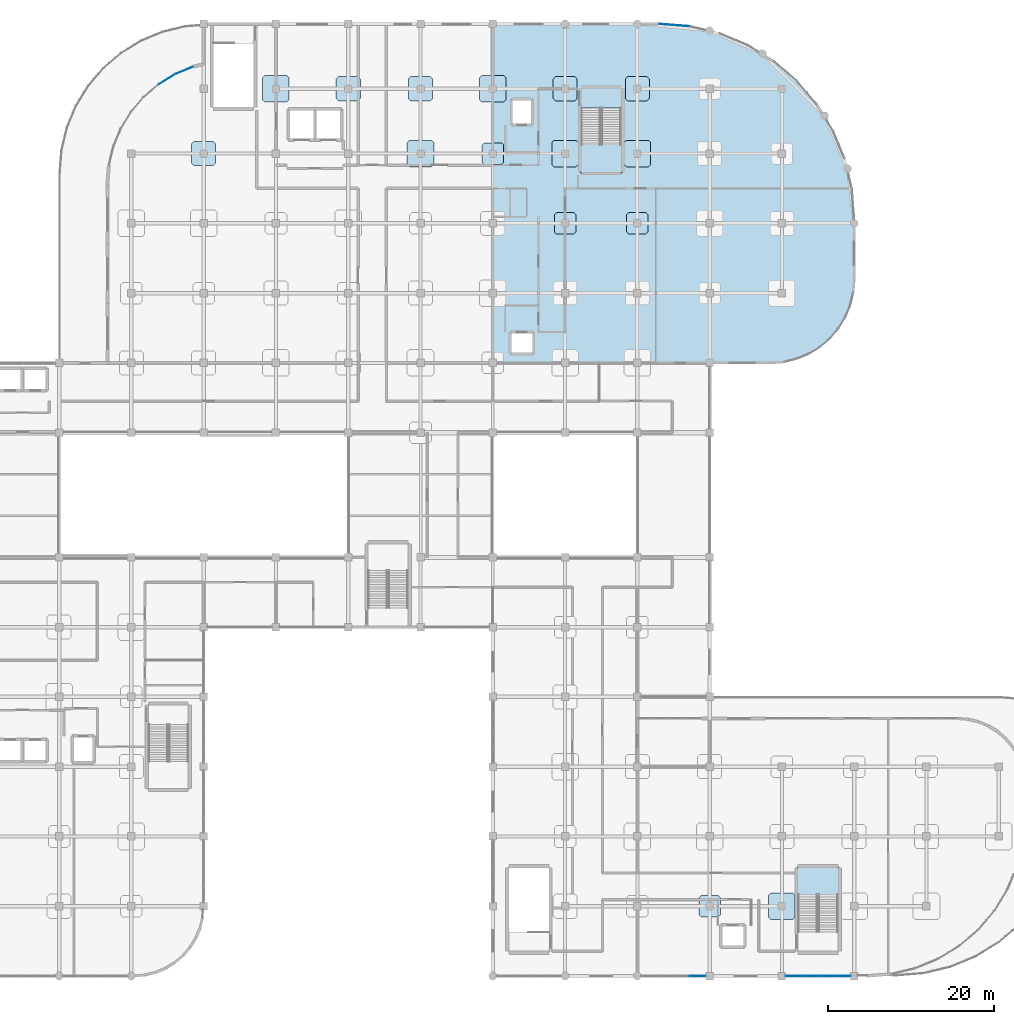
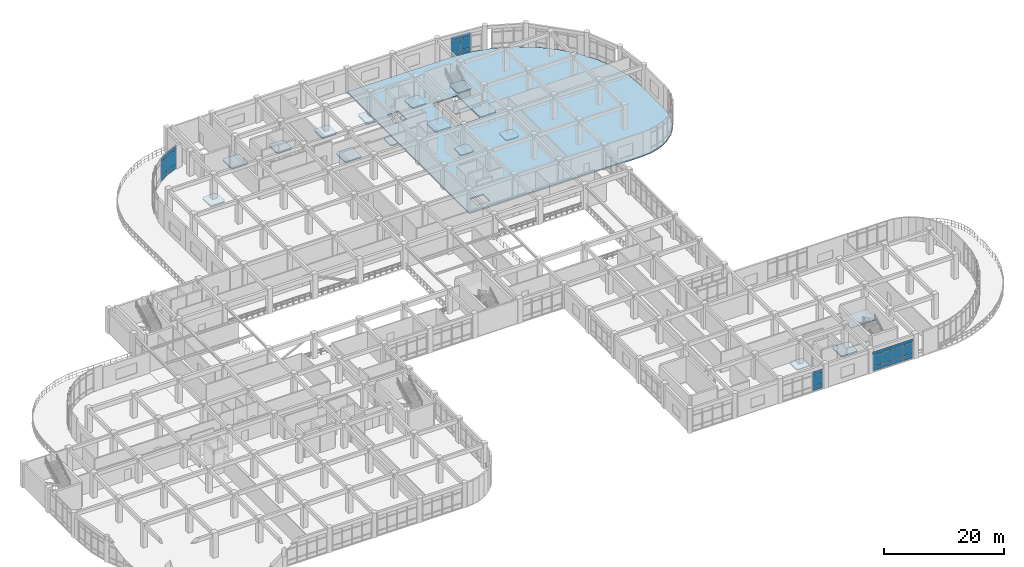
# One storey, part 93 of 120: 28 plates, 18 slabs, 7 elements without a shape of their own.
"""IFC4 building model written with IfcOpenShell, lengths in metres."""

from ifc_helpers import new_model, si_unit, derived_unit, direction, frame, origin, origin_2d, place, context, subcontext, project, spatial, polyline, rectangle, outline, extrude, material, layer, layer_set, type_object, element, aggregate, save


model = new_model("IFC4")

# Units and contexts
model_context = context("Model", 3, precision=1e-05, world=origin(), true_north=direction((0.0, 1.0)))
body_context = subcontext(model_context, "Body", "Model", "MODEL_VIEW")
ifc_project = project(units=[si_unit("LENGTHUNIT", "METRE"), si_unit("AREAUNIT", "SQUARE_METRE"), si_unit("VOLUMEUNIT", "CUBIC_METRE"), si_unit("PLANEANGLEUNIT", "RADIAN"), si_unit("MASSUNIT", "GRAM", prefix="KILO"), derived_unit("THERMALTRANSMITTANCEUNIT", [(si_unit("MASSUNIT", "GRAM", prefix="KILO"), 1), (si_unit("TIMEUNIT", "SECOND"), -3), (si_unit("THERMODYNAMICTEMPERATUREUNIT", "KELVIN"), -1)])], contexts=[model_context])

# Site, building, storey
site_placement = place(None, origin())
site = spatial("IfcSite", under=ifc_project, at=site_placement, CompositionType="ELEMENT")
building_placement = place(site_placement, origin())
building = spatial("IfcBuilding", under=site, at=building_placement, Name="Qinzheling Arcade Emporium", CompositionType="ELEMENT")
storey_placement = place(building_placement, frame((0.0, 0.0, 11.39990234375)))
storey = spatial("IfcBuildingStorey", under=building, at=storey_placement, Name="L03", CompositionType="ELEMENT", Elevation=11.39990234375)

# Slabs
ifc_material_1 = material(Name="Concrete C40", Category="concrete")
ifc_layer_1 = layer(ifc_material_1, 0.264892578125, Name="Concrete C40", Category="concrete")
ifc_layer_set_1 = layer_set([ifc_layer_1], Name="Concrete C40")
slab_type_1 = type_object("IfcSlabType", Name="Buying Office Flat Slab 265 C40", PredefinedType="FLOOR", material=ifc_layer_set_1)
slab_1_placement = place(storey_placement, frame((0.0, 0.0, -0.264892578125)))
element("IfcSlab", 1, at=slab_1_placement, inside=storey, type_object=slab_type_1, Name="Floor Slab SLB-L03-V6", PredefinedType="FLOOR", context=body_context, shape_type="SweptSolid", body=[
    extrude(outline(polyline([(104.39990234375, 114.60009765625), (104.39990234375, 73.800048828125), (137.89990234375, 73.800048828125), (139.464111328125, 73.923095703125), (140.989990234375, 74.2890625), (142.43994140625, 74.889892578125), (143.778076171875, 75.7099609375), (144.970947265625, 76.72900390625), (145.989990234375, 77.922119140625), (146.81005859375, 79.260009765625), (147.410888671875, 80.7099609375), (147.777099609375, 82.236083984375), (147.89990234375, 83.800048828125), (147.89990234375, 91.10009765625), (147.611083984375, 94.77587890625), (146.75, 98.362060546875), (145.339111328125, 101.76904296875), (143.412109375, 104.9130859375), (141.01708984375, 107.717041015625), (138.212890625, 110.112060546875), (135.069091796875, 112.0390625), (131.662109375, 113.449951171875), (128.075927734375, 114.31103515625), (124.39990234375, 114.60009765625), (104.39990234375, 114.60009765625)]), holes=[polyline([(115.054931640625, 96.800048828125), (115.054931640625, 104.47509765625), (119.844970703125, 104.47509765625), (119.844970703125, 96.800048828125), (115.054931640625, 96.800048828125)]), polyline([(106.64990234375, 75.050048828125), (106.64990234375, 77.35009765625), (109.14990234375, 77.35009765625), (109.14990234375, 75.050048828125), (106.64990234375, 75.050048828125)]), polyline([(106.800048828125, 102.60009765625), (106.800048828125, 105.39990234375), (109.0, 105.39990234375), (109.0, 102.60009765625), (106.800048828125, 102.60009765625)])]), origin(), (0.0, 0.0, 1.0), 0.264892578125),
])
ifc_layer_2 = layer(ifc_material_1, 0.235107421875, Name="Concrete C40", Category="concrete")
ifc_layer_set_2 = layer_set([ifc_layer_2], Name="Concrete C40")
slab_type_2 = type_object("IfcSlabType", Name="Column Head Drop Panel 2600x2600x235 C40", PredefinedType="USERDEFINED", material=ifc_layer_set_2)
slab_2_placement = place(storey_placement, frame((0.0, 0.0, -0.544921875)))
element("IfcSlab", 2, at=slab_2_placement, inside=storey, type_object=slab_type_2, Name="Column Drop Panel DP-L03-13-M", ObjectType="DROP_PANEL", PredefinedType="USERDEFINED", context=body_context, shape_type="SweptSolid", body=[
    extrude(outline(polyline([(103.3798828125, 97.699951171875), (105.419921875, 97.699951171875), (105.699951171875, 97.97998046875), (105.699951171875, 100.02001953125), (105.419921875, 100.300048828125), (103.3798828125, 100.300048828125), (103.10009765625, 100.02001953125), (103.10009765625, 97.97998046875), (103.3798828125, 97.699951171875)])), origin(), (0.0, 0.0, 1.0), 0.235107421875),
])
slab_3_placement = place(storey_placement, frame((0.0, 0.0, -0.5)))
element("IfcSlab", 3, at=slab_3_placement, inside=storey, type_object=slab_type_2, Name="Column Drop Panel DP-L03-14-L", ObjectType="DROP_PANEL", PredefinedType="USERDEFINED", context=body_context, shape_type="SweptSolid", body=[
    extrude(outline(polyline([(112.080078125, 89.300048828125), (114.1201171875, 89.300048828125), (114.39990234375, 89.580078125), (114.39990234375, 91.6201171875), (114.1201171875, 91.89990234375), (112.080078125, 91.89990234375), (111.800048828125, 91.6201171875), (111.800048828125, 89.580078125), (112.080078125, 89.300048828125)])), origin(), (0.0, 0.0, 1.0), 0.235107421875),
])
slab_4_placement = place(storey_placement, frame((0.0, 0.0, -0.5)))
element("IfcSlab", 4, at=slab_4_placement, inside=storey, type_object=slab_type_2, Name="Column Drop Panel DP-L03-15-L", ObjectType="DROP_PANEL", PredefinedType="USERDEFINED", context=body_context, shape_type="SweptSolid", body=[
    extrude(outline(polyline([(120.780029296875, 89.300048828125), (122.820068359375, 89.300048828125), (123.10009765625, 89.580078125), (123.10009765625, 91.6201171875), (122.820068359375, 91.89990234375), (120.780029296875, 91.89990234375), (120.5, 91.6201171875), (120.5, 89.580078125), (120.780029296875, 89.300048828125)])), origin(), (0.0, 0.0, 1.0), 0.235107421875),
])
slab_5_placement = place(storey_placement, frame((0.0, 0.0, -0.52978515625)))
element("IfcSlab", 5, at=slab_5_placement, inside=storey, type_object=slab_type_2, Name="Column Drop Panel DP-L03-16-B", ObjectType="DROP_PANEL", PredefinedType="USERDEFINED", context=body_context, shape_type="SweptSolid", body=[
    extrude(outline(polyline([(129.47998046875, 7.10009765625), (131.52001953125, 7.10009765625), (131.800048828125, 7.3798828125), (131.800048828125, 9.419921875), (131.52001953125, 9.699951171875), (129.47998046875, 9.699951171875), (129.199951171875, 9.419921875), (129.199951171875, 7.3798828125), (129.47998046875, 7.10009765625)])), origin(), (0.0, 0.0, 1.0), 0.23486328125),
])
ifc_layer_3 = layer(ifc_material_1, 0.27001953125, Name="Concrete C40", Category="concrete")
ifc_layer_set_3 = layer_set([ifc_layer_3], Name="Concrete C40")
slab_type_3 = type_object("IfcSlabType", Name="Column Head Drop Panel 2900x2900x270 C40", PredefinedType="USERDEFINED", material=ifc_layer_set_3)
slab_6_placement = place(storey_placement, frame((0.0, 0.0, -0.579833984375)))
element("IfcSlab", 6, at=slab_6_placement, inside=storey, type_object=slab_type_3, Name="Column Drop Panel DP-L03-11-N", ObjectType="DROP_PANEL", PredefinedType="USERDEFINED", context=body_context, shape_type="SweptSolid", body=[
    extrude(outline(polyline([(85.830078125, 105.35009765625), (88.169921875, 105.35009765625), (88.449951171875, 105.6298828125), (88.449951171875, 107.969970703125), (88.169921875, 108.25), (85.830078125, 108.25), (85.550048828125, 107.969970703125), (85.550048828125, 105.6298828125), (85.830078125, 105.35009765625)])), origin(), (0.0, 0.0, 1.0), 0.27001953125),
])
slab_7_placement = place(storey_placement, frame((0.0, 0.0, -0.579833984375)))
element("IfcSlab", 7, at=slab_7_placement, inside=storey, type_object=slab_type_3, Name="Column Drop Panel DP-L03-12-N", ObjectType="DROP_PANEL", PredefinedType="USERDEFINED", context=body_context, shape_type="SweptSolid", body=[
    extrude(outline(polyline([(94.530029296875, 105.35009765625), (96.8701171875, 105.35009765625), (97.14990234375, 105.6298828125), (97.14990234375, 107.969970703125), (96.8701171875, 108.25), (94.530029296875, 108.25), (94.25, 107.969970703125), (94.25, 105.6298828125), (94.530029296875, 105.35009765625)])), origin(), (0.0, 0.0, 1.0), 0.27001953125),
])
slab_8_placement = place(storey_placement, frame((0.0, 0.0, -0.534912109375)))
element("IfcSlab", 8, at=slab_8_placement, inside=storey, type_object=slab_type_3, Name="Column Drop Panel DP-L03-14-N", ObjectType="DROP_PANEL", PredefinedType="USERDEFINED", context=body_context, shape_type="SweptSolid", body=[
    extrude(outline(polyline([(111.929931640625, 105.35009765625), (114.27001953125, 105.35009765625), (114.550048828125, 105.6298828125), (114.550048828125, 107.969970703125), (114.27001953125, 108.25), (111.929931640625, 108.25), (111.64990234375, 107.969970703125), (111.64990234375, 105.6298828125), (111.929931640625, 105.35009765625)])), origin(), (0.0, 0.0, 1.0), 0.27001953125),
])
slab_9_placement = place(storey_placement, frame((0.0, 0.0, -0.534912109375)))
element("IfcSlab", 9, at=slab_9_placement, inside=storey, type_object=slab_type_3, Name="Column Drop Panel DP-L03-15-N", ObjectType="DROP_PANEL", PredefinedType="USERDEFINED", context=body_context, shape_type="SweptSolid", body=[
    extrude(outline(polyline([(120.6298828125, 105.35009765625), (122.969970703125, 105.35009765625), (123.25, 105.6298828125), (123.25, 107.969970703125), (122.969970703125, 108.25), (120.6298828125, 108.25), (120.35009765625, 107.969970703125), (120.35009765625, 105.6298828125), (120.6298828125, 105.35009765625)])), origin(), (0.0, 0.0, 1.0), 0.27001953125),
])
slab_10_placement = place(storey_placement, frame((0.0, 0.0, -0.579833984375)))
element("IfcSlab", 10, at=slab_10_placement, inside=storey, type_object=slab_type_3, Name="Column Drop Panel DP-L03-9-M", ObjectType="DROP_PANEL", PredefinedType="USERDEFINED", context=body_context, shape_type="SweptSolid", body=[
    extrude(outline(polyline([(68.429931640625, 97.550048828125), (70.77001953125, 97.550048828125), (71.050048828125, 97.830078125), (71.050048828125, 100.169921875), (70.77001953125, 100.449951171875), (68.429931640625, 100.449951171875), (68.14990234375, 100.169921875), (68.14990234375, 97.830078125), (68.429931640625, 97.550048828125)])), origin(), (0.0, 0.0, 1.0), 0.27001953125),
])
ifc_layer_4 = layer(ifc_material_1, 0.300048828125, Name="Concrete C40", Category="concrete")
ifc_layer_set_4 = layer_set([ifc_layer_4], Name="Concrete C40")
slab_type_4 = type_object("IfcSlabType", Name="Column Head Drop Panel 3200x3200x300 C40", PredefinedType="USERDEFINED", material=ifc_layer_set_4)
slab_11_placement = place(storey_placement, frame((0.0, 0.0, -0.60986328125)))
element("IfcSlab", 11, at=slab_11_placement, inside=storey, type_object=slab_type_4, Name="Column Drop Panel DP-L03-10-N", ObjectType="DROP_PANEL", PredefinedType="USERDEFINED", context=body_context, shape_type="SweptSolid", body=[
    extrude(outline(polyline([(76.97998046875, 105.199951171875), (79.6201171875, 105.199951171875), (79.89990234375, 105.47998046875), (79.89990234375, 108.1201171875), (79.6201171875, 108.39990234375), (76.97998046875, 108.39990234375), (76.699951171875, 108.1201171875), (76.699951171875, 105.47998046875), (76.97998046875, 105.199951171875)])), origin(), (0.0, 0.0, 1.0), 0.300048828125),
])
slab_12_placement = place(storey_placement, frame((0.0, 0.0, -0.60986328125)))
element("IfcSlab", 12, at=slab_12_placement, inside=storey, type_object=slab_type_4, Name="Column Drop Panel DP-L03-12-M", ObjectType="DROP_PANEL", PredefinedType="USERDEFINED", context=body_context, shape_type="SweptSolid", body=[
    extrude(outline(polyline([(94.3798828125, 97.39990234375), (97.02001953125, 97.39990234375), (97.300048828125, 97.679931640625), (97.300048828125, 100.320068359375), (97.02001953125, 100.60009765625), (94.3798828125, 100.60009765625), (94.10009765625, 100.320068359375), (94.10009765625, 97.679931640625), (94.3798828125, 97.39990234375)])), origin(), (0.0, 0.0, 1.0), 0.300048828125),
])
slab_13_placement = place(storey_placement, frame((0.0, 0.0, -0.60986328125)))
element("IfcSlab", 13, at=slab_13_placement, inside=storey, type_object=slab_type_4, Name="Column Drop Panel DP-L03-13-N", ObjectType="DROP_PANEL", PredefinedType="USERDEFINED", context=body_context, shape_type="SweptSolid", body=[
    extrude(outline(polyline([(103.080078125, 105.199951171875), (105.719970703125, 105.199951171875), (106.0, 105.47998046875), (106.0, 108.1201171875), (105.719970703125, 108.39990234375), (103.080078125, 108.39990234375), (102.800048828125, 108.1201171875), (102.800048828125, 105.47998046875), (103.080078125, 105.199951171875)])), origin(), (0.0, 0.0, 1.0), 0.300048828125),
])
slab_14_placement = place(storey_placement, frame((0.0, 0.0, -0.56494140625)))
element("IfcSlab", 14, at=slab_14_placement, inside=storey, type_object=slab_type_4, Name="Column Drop Panel DP-L03-14-M", ObjectType="DROP_PANEL", PredefinedType="USERDEFINED", context=body_context, shape_type="SweptSolid", body=[
    extrude(outline(polyline([(111.780029296875, 97.39990234375), (114.419921875, 97.39990234375), (114.699951171875, 97.679931640625), (114.699951171875, 100.320068359375), (114.419921875, 100.60009765625), (111.780029296875, 100.60009765625), (111.5, 100.320068359375), (111.5, 97.679931640625), (111.780029296875, 97.39990234375)])), origin(), (0.0, 0.0, 1.0), 0.300048828125),
])
slab_15_placement = place(storey_placement, frame((0.0, 0.0, -0.56494140625)))
element("IfcSlab", 15, at=slab_15_placement, inside=storey, type_object=slab_type_4, Name="Column Drop Panel DP-L03-15-M", ObjectType="DROP_PANEL", PredefinedType="USERDEFINED", context=body_context, shape_type="SweptSolid", body=[
    extrude(outline(polyline([(120.47998046875, 97.39990234375), (123.1201171875, 97.39990234375), (123.39990234375, 97.679931640625), (123.39990234375, 100.320068359375), (123.1201171875, 100.60009765625), (120.47998046875, 100.60009765625), (120.199951171875, 100.320068359375), (120.199951171875, 97.679931640625), (120.47998046875, 97.39990234375)])), origin(), (0.0, 0.0, 1.0), 0.300048828125),
])
slab_16_placement = place(storey_placement, frame((0.0, 0.0, -0.594970703125)))
element("IfcSlab", 16, at=slab_16_placement, inside=storey, type_object=slab_type_4, Name="Column Drop Panel DP-L03-17-B", ObjectType="DROP_PANEL", PredefinedType="USERDEFINED", context=body_context, shape_type="SweptSolid", body=[
    extrude(outline(polyline([(137.8798828125, 6.800048828125), (140.52001953125, 6.800048828125), (140.800048828125, 7.080078125), (140.800048828125, 9.719970703125), (140.52001953125, 10.0), (137.8798828125, 10.0), (137.60009765625, 9.719970703125), (137.60009765625, 7.080078125), (137.8798828125, 6.800048828125)])), origin(), (0.0, 0.0, 1.0), 0.300048828125),
])

# Curtain wall, plates
ifc_material_2 = material(Name="Anodised aluminium and solar-control double glazing", Category="aluminium")
ifc_layer_5 = layer(ifc_material_2, 0.159912109375, Name="Anodised aluminium and solar-control double glazing", Category="aluminium")
ifc_layer_set_5 = layer_set([ifc_layer_5], Name="Anodised aluminium and solar-control double glazing")
curtain_wall_type_1 = type_object("IfcCurtainWallType", Name="Curved Ribbon Sales Curtain Wall", PredefinedType="NOTDEFINED", material=ifc_layer_set_5)
curtain_wall_1_placement = place(storey_placement, origin())
curtain_wall_1 = element("IfcCurtainWall", 17, at=curtain_wall_1_placement, inside=storey, type_object=curtain_wall_type_1, Name="Curtain Wall CW-L03-180", PredefinedType="NOTDEFINED")
ifc_material_3 = material(Name="Laminated solar-control double glazing", Category="glass")
ifc_layer_6 = layer(ifc_material_3, 0.028076171875, Name="Laminated solar-control double glazing", Category="glass")
ifc_layer_set_6 = layer_set([ifc_layer_6], Name="Laminated solar-control double glazing")
plate_type_1 = type_object("IfcPlateType", Name="Low-E Double Glazed Curtain Panel 28mm", PredefinedType="CURTAIN_PANEL", material=ifc_layer_set_6)
plate_1_placement = place(storey_placement, frame((65.1865234375, 107.949951171875, 0.06005859375), z_axis=(0.0, 0.0, 1.0), x_axis=(0.852619568756, 0.522532172191, 0.0)))
plate_1 = element("IfcPlate", 18, at=plate_1_placement, type_object=plate_type_1, Name="CW02 panel 1.1", PredefinedType="CURTAIN_PANEL", context=body_context, shape_type="SweptSolid", body=[
    extrude(rectangle(XDim=2.23388671875, YDim=0.028076171875, at=origin_2d()), origin(), (0.0, 0.0, 1.0), 0.860107421875),
])
plate_2_placement = place(storey_placement, frame((65.1865234375, 107.949951171875, 0.97998046875), z_axis=(0.0, 0.0, 1.0), x_axis=(0.852619568756, 0.522532172191, 0.0)))
plate_2 = element("IfcPlate", 19, at=plate_2_placement, type_object=plate_type_1, Name="CW02 panel 1.2", PredefinedType="CURTAIN_PANEL", context=body_context, shape_type="SweptSolid", body=[
    extrude(rectangle(XDim=2.23388671875, YDim=0.028076171875, at=origin_2d()), origin(), (0.0, 0.0, 1.0), 2.929931640625),
])
plate_3_placement = place(storey_placement, frame((65.1865234375, 107.949951171875, 3.97021484375), z_axis=(0.0, 0.0, 1.0), x_axis=(0.852619568756, 0.522532172191, 0.0)))
plate_3 = element("IfcPlate", 20, at=plate_3_placement, type_object=plate_type_1, Name="CW02 panel 1.3", PredefinedType="CURTAIN_PANEL", context=body_context, shape_type="SweptSolid", body=[
    extrude(rectangle(XDim=2.23388671875, YDim=0.028076171875, at=origin_2d()), origin(), (0.0, 0.0, 1.0), 0.760009765625),
])
aggregate(curtain_wall_1, [plate_1, plate_2, plate_3])

curtain_wall_2_placement = place(storey_placement, origin())
curtain_wall_2 = element("IfcCurtainWall", 21, at=curtain_wall_2_placement, inside=storey, type_object=curtain_wall_type_1, Name="Curtain Wall CW-L03-181", PredefinedType="NOTDEFINED")
ifc_layer_7 = layer(ifc_material_3, 0.029052734375, Name="Laminated solar-control double glazing", Category="glass")
ifc_layer_set_7 = layer_set([ifc_layer_7], Name="Laminated solar-control double glazing")
plate_type_2 = type_object("IfcPlateType", Name="Low-E Double Glazed Curtain Panel 29mm", PredefinedType="CURTAIN_PANEL", material=ifc_layer_set_7)
plate_4_placement = place(storey_placement, frame((67.277587890625, 109.015380859375, 0.06005859375), z_axis=(0.0, 0.0, 1.0), x_axis=(0.923866691535, 0.382714431752, 0.0)))
plate_4 = element("IfcPlate", 22, at=plate_4_placement, type_object=plate_type_2, Name="CW02 panel 1.1", PredefinedType="CURTAIN_PANEL", context=body_context, shape_type="SweptSolid", body=[
    extrude(rectangle(XDim=2.234130859375, YDim=0.029052734375, at=origin_2d()), origin(), (0.0, 0.0, 1.0), 0.860107421875),
])
plate_5_placement = place(storey_placement, frame((67.277587890625, 109.015380859375, 0.97998046875), z_axis=(0.0, 0.0, 1.0), x_axis=(0.923866691535, 0.382714431752, 0.0)))
plate_5 = element("IfcPlate", 23, at=plate_5_placement, type_object=plate_type_2, Name="CW02 panel 1.2", PredefinedType="CURTAIN_PANEL", context=body_context, shape_type="SweptSolid", body=[
    extrude(rectangle(XDim=2.234130859375, YDim=0.029052734375, at=origin_2d()), origin(), (0.0, 0.0, 1.0), 2.929931640625),
])
plate_6_placement = place(storey_placement, frame((67.277587890625, 109.015380859375, 3.97021484375), z_axis=(0.0, 0.0, 1.0), x_axis=(0.923866691535, 0.382714431752, 0.0)))
plate_6 = element("IfcPlate", 24, at=plate_6_placement, type_object=plate_type_2, Name="CW02 panel 1.3", PredefinedType="CURTAIN_PANEL", context=body_context, shape_type="SweptSolid", body=[
    extrude(rectangle(XDim=2.234130859375, YDim=0.029052734375, at=origin_2d()), origin(), (0.0, 0.0, 1.0), 0.760009765625),
])
aggregate(curtain_wall_2, [plate_4, plate_5, plate_6])

curtain_wall_3_placement = place(storey_placement, origin())
curtain_wall_3 = element("IfcCurtainWall", 25, at=curtain_wall_3_placement, inside=storey, type_object=curtain_wall_type_1, Name="Curtain Wall CW-L03-182", PredefinedType="NOTDEFINED")
ifc_layer_8 = layer(ifc_material_3, 0.030029296875, Name="Laminated solar-control double glazing", Category="glass")
ifc_layer_set_8 = layer_set([ifc_layer_8], Name="Laminated solar-control double glazing")
plate_type_3 = type_object("IfcPlateType", Name="Low-E Double Glazed Curtain Panel 30mm", PredefinedType="CURTAIN_PANEL", material=ifc_layer_set_8)
plate_7_placement = place(storey_placement, frame((125.333984375, 114.526611328125, 0.06005859375), z_axis=(0.0, 0.0, 1.0), x_axis=(0.996923852542, -0.078376222365, 0.0)))
plate_7 = element("IfcPlate", 26, at=plate_7_placement, type_object=plate_type_3, Name="CW02 panel 1.1", PredefinedType="CURTAIN_PANEL", context=body_context, shape_type="SweptSolid", body=[
    extrude(rectangle(XDim=1.753662109375, YDim=0.030029296875, at=origin_2d()), origin(), (0.0, 0.0, 1.0), 0.860107421875),
])
plate_8_placement = place(storey_placement, frame((125.333984375, 114.526611328125, 0.980224609375), z_axis=(0.0, 0.0, 1.0), x_axis=(0.996923852542, -0.078376222365, 0.0)))
plate_8 = element("IfcPlate", 27, at=plate_8_placement, type_object=plate_type_3, Name="CW02 panel 1.2", PredefinedType="CURTAIN_PANEL", context=body_context, shape_type="SweptSolid", body=[
    extrude(rectangle(XDim=1.753662109375, YDim=0.030029296875, at=origin_2d()), origin(), (0.0, 0.0, 1.0), 2.294921875),
])
plate_9_placement = place(storey_placement, frame((125.333984375, 114.526611328125, 3.3349609375), z_axis=(0.0, 0.0, 1.0), x_axis=(0.996923852542, -0.078376222365, 0.0)))
plate_9 = element("IfcPlate", 28, at=plate_9_placement, type_object=plate_type_3, Name="CW02 panel 1.3", PredefinedType="CURTAIN_PANEL", context=body_context, shape_type="SweptSolid", body=[
    extrude(rectangle(XDim=1.753662109375, YDim=0.030029296875, at=origin_2d()), origin(), (0.0, 0.0, 1.0), 0.760009765625),
])
plate_10_placement = place(storey_placement, frame((127.14208984375, 114.384521484375, 0.06005859375), z_axis=(0.0, 0.0, 1.0), x_axis=(0.996923852542, -0.078376222365, 0.0)))
plate_10 = element("IfcPlate", 29, at=plate_10_placement, type_object=plate_type_3, Name="CW02 panel 2.1", PredefinedType="CURTAIN_PANEL", context=body_context, shape_type="SweptSolid", body=[
    extrude(rectangle(XDim=1.753662109375, YDim=0.030029296875, at=origin_2d()), origin(), (0.0, 0.0, 1.0), 0.860107421875),
])
plate_11_placement = place(storey_placement, frame((127.14208984375, 114.384521484375, 0.980224609375), z_axis=(0.0, 0.0, 1.0), x_axis=(0.996923852542, -0.078376222365, 0.0)))
plate_11 = element("IfcPlate", 30, at=plate_11_placement, type_object=plate_type_3, Name="CW02 panel 2.2", PredefinedType="CURTAIN_PANEL", context=body_context, shape_type="SweptSolid", body=[
    extrude(rectangle(XDim=1.753662109375, YDim=0.030029296875, at=origin_2d()), origin(), (0.0, 0.0, 1.0), 2.294921875),
])
plate_12_placement = place(storey_placement, frame((127.14208984375, 114.384521484375, 3.3349609375), z_axis=(0.0, 0.0, 1.0), x_axis=(0.996923852542, -0.078376222365, 0.0)))
plate_12 = element("IfcPlate", 31, at=plate_12_placement, type_object=plate_type_3, Name="CW02 panel 2.3", PredefinedType="CURTAIN_PANEL", context=body_context, shape_type="SweptSolid", body=[
    extrude(rectangle(XDim=1.753662109375, YDim=0.030029296875, at=origin_2d()), origin(), (0.0, 0.0, 1.0), 0.760009765625),
])
aggregate(curtain_wall_3, [plate_7, plate_8, plate_9, plate_10, plate_11, plate_12])

ifc_layer_9 = layer(ifc_material_2, 0.159912109375, Name="Anodised aluminium and solar-control double glazing", Category="aluminium")
ifc_layer_set_9 = layer_set([ifc_layer_9], Name="Anodised aluminium and solar-control double glazing")
curtain_wall_type_2 = type_object("IfcCurtainWallType", Name="Food Hall Loggia Curtain Wall", PredefinedType="NOTDEFINED", material=ifc_layer_set_9)
curtain_wall_4_placement = place(storey_placement, origin())
curtain_wall_4 = element("IfcCurtainWall", 32, at=curtain_wall_4_placement, inside=storey, type_object=curtain_wall_type_2, Name="Curtain Wall CW-L03-137", PredefinedType="NOTDEFINED")
ifc_layer_10 = layer(ifc_material_3, 0.033935546875, Name="Laminated solar-control double glazing", Category="glass")
ifc_layer_set_10 = layer_set([ifc_layer_10], Name="Laminated solar-control double glazing")
plate_type_4 = type_object("IfcPlateType", Name="Low-E Double Glazed Curtain Panel 34mm", PredefinedType="CURTAIN_PANEL", material=ifc_layer_set_10)
plate_13_placement = place(storey_placement, frame((146.45849609375, 0.0, 0.06005859375), z_axis=(0.0, 0.0, 1.0), x_axis=(-1.0, 0.0, 0.0)))
plate_13 = element("IfcPlate", 33, at=plate_13_placement, type_object=plate_type_4, Name="CW04 panel 1.1", PredefinedType="CURTAIN_PANEL", context=body_context, shape_type="SweptSolid", body=[
    extrude(rectangle(XDim=1.85888671875, YDim=0.033935546875, at=origin_2d()), origin(), (0.0, 0.0, 1.0), 0.860107421875),
])
plate_14_placement = place(storey_placement, frame((146.45849609375, 0.0, 0.97998046875), z_axis=(0.0, 0.0, 1.0), x_axis=(-1.0, 0.0, 0.0)))
plate_14 = element("IfcPlate", 34, at=plate_14_placement, type_object=plate_type_4, Name="CW04 panel 1.2", PredefinedType="CURTAIN_PANEL", context=body_context, shape_type="SweptSolid", body=[
    extrude(rectangle(XDim=1.85888671875, YDim=0.033935546875, at=origin_2d()), origin(), (0.0, 0.0, 1.0), 2.195068359375),
])
plate_15_placement = place(storey_placement, frame((146.45849609375, 0.0, 3.23486328125), z_axis=(0.0, 0.0, 1.0), x_axis=(-1.0, 0.0, 0.0)))
plate_15 = element("IfcPlate", 35, at=plate_15_placement, type_object=plate_type_4, Name="CW04 panel 1.3", PredefinedType="CURTAIN_PANEL", context=body_context, shape_type="SweptSolid", body=[
    extrude(rectangle(XDim=1.85888671875, YDim=0.033935546875, at=origin_2d()), origin(), (0.0, 0.0, 1.0), 0.760009765625),
])
plate_16_placement = place(storey_placement, frame((144.5244140625, 0.0, 0.06005859375), z_axis=(0.0, 0.0, 1.0), x_axis=(-1.0, 0.0, 0.0)))
plate_16 = element("IfcPlate", 36, at=plate_16_placement, type_object=plate_type_4, Name="CW04 panel 2.1", PredefinedType="CURTAIN_PANEL", context=body_context, shape_type="SweptSolid", body=[
    extrude(rectangle(XDim=1.888916015625, YDim=0.033935546875, at=origin_2d()), origin(), (0.0, 0.0, 1.0), 0.860107421875),
])
plate_17_placement = place(storey_placement, frame((144.5244140625, 0.0, 0.97998046875), z_axis=(0.0, 0.0, 1.0), x_axis=(-1.0, 0.0, 0.0)))
plate_17 = element("IfcPlate", 37, at=plate_17_placement, type_object=plate_type_4, Name="CW04 panel 2.2", PredefinedType="CURTAIN_PANEL", context=body_context, shape_type="SweptSolid", body=[
    extrude(rectangle(XDim=1.888916015625, YDim=0.033935546875, at=origin_2d()), origin(), (0.0, 0.0, 1.0), 2.195068359375),
])
plate_18_placement = place(storey_placement, frame((144.5244140625, 0.0, 3.23486328125), z_axis=(0.0, 0.0, 1.0), x_axis=(-1.0, 0.0, 0.0)))
plate_18 = element("IfcPlate", 38, at=plate_18_placement, type_object=plate_type_4, Name="CW04 panel 2.3", PredefinedType="CURTAIN_PANEL", context=body_context, shape_type="SweptSolid", body=[
    extrude(rectangle(XDim=1.888916015625, YDim=0.033935546875, at=origin_2d()), origin(), (0.0, 0.0, 1.0), 0.760009765625),
])
plate_19_placement = place(storey_placement, frame((142.575439453125, 0.0, 0.06005859375), z_axis=(0.0, 0.0, 1.0), x_axis=(-1.0, 0.0, 0.0)))
plate_19 = element("IfcPlate", 39, at=plate_19_placement, type_object=plate_type_4, Name="CW04 panel 3.1", PredefinedType="CURTAIN_PANEL", context=body_context, shape_type="SweptSolid", body=[
    extrude(rectangle(XDim=1.888916015625, YDim=0.033935546875, at=origin_2d()), origin(), (0.0, 0.0, 1.0), 0.860107421875),
])
plate_20_placement = place(storey_placement, frame((142.575439453125, 0.0, 0.97998046875), z_axis=(0.0, 0.0, 1.0), x_axis=(-1.0, 0.0, 0.0)))
plate_20 = element("IfcPlate", 40, at=plate_20_placement, type_object=plate_type_4, Name="CW04 panel 3.2", PredefinedType="CURTAIN_PANEL", context=body_context, shape_type="SweptSolid", body=[
    extrude(rectangle(XDim=1.888916015625, YDim=0.033935546875, at=origin_2d()), origin(), (0.0, 0.0, 1.0), 2.195068359375),
])
plate_21_placement = place(storey_placement, frame((142.575439453125, 0.0, 3.23486328125), z_axis=(0.0, 0.0, 1.0), x_axis=(-1.0, 0.0, 0.0)))
plate_21 = element("IfcPlate", 41, at=plate_21_placement, type_object=plate_type_4, Name="CW04 panel 3.3", PredefinedType="CURTAIN_PANEL", context=body_context, shape_type="SweptSolid", body=[
    extrude(rectangle(XDim=1.888916015625, YDim=0.033935546875, at=origin_2d()), origin(), (0.0, 0.0, 1.0), 0.760009765625),
])
plate_22_placement = place(storey_placement, frame((140.6416015625, 0.0, 0.06005859375), z_axis=(0.0, 0.0, 1.0), x_axis=(-1.0, 0.0, 0.0)))
plate_22 = element("IfcPlate", 42, at=plate_22_placement, type_object=plate_type_4, Name="CW04 panel 4.1", PredefinedType="CURTAIN_PANEL", context=body_context, shape_type="SweptSolid", body=[
    extrude(rectangle(XDim=1.85888671875, YDim=0.033935546875, at=origin_2d()), origin(), (0.0, 0.0, 1.0), 0.860107421875),
])
plate_23_placement = place(storey_placement, frame((140.6416015625, 0.0, 0.97998046875), z_axis=(0.0, 0.0, 1.0), x_axis=(-1.0, 0.0, 0.0)))
plate_23 = element("IfcPlate", 43, at=plate_23_placement, type_object=plate_type_4, Name="CW04 panel 4.2", PredefinedType="CURTAIN_PANEL", context=body_context, shape_type="SweptSolid", body=[
    extrude(rectangle(XDim=1.85888671875, YDim=0.033935546875, at=origin_2d()), origin(), (0.0, 0.0, 1.0), 2.195068359375),
])
plate_24_placement = place(storey_placement, frame((140.6416015625, 0.0, 3.23486328125), z_axis=(0.0, 0.0, 1.0), x_axis=(-1.0, 0.0, 0.0)))
plate_24 = element("IfcPlate", 44, at=plate_24_placement, type_object=plate_type_4, Name="CW04 panel 4.3", PredefinedType="CURTAIN_PANEL", context=body_context, shape_type="SweptSolid", body=[
    extrude(rectangle(XDim=1.85888671875, YDim=0.033935546875, at=origin_2d()), origin(), (0.0, 0.0, 1.0), 0.760009765625),
])
aggregate(curtain_wall_4, [plate_13, plate_14, plate_15, plate_16, plate_17, plate_18, plate_19, plate_20, plate_21, plate_22, plate_23, plate_24])

curtain_wall_5_placement = place(storey_placement, origin())
curtain_wall_5 = element("IfcCurtainWall", 45, at=curtain_wall_5_placement, inside=storey, type_object=curtain_wall_type_2, Name="Curtain Wall CW-L03-138", PredefinedType="NOTDEFINED")
ifc_layer_11 = layer(ifc_material_3, 0.035888671875, Name="Laminated solar-control double glazing", Category="glass")
ifc_layer_set_11 = layer_set([ifc_layer_11], Name="Laminated solar-control double glazing")
plate_type_5 = type_object("IfcPlateType", Name="Low-E Double Glazed Curtain Panel 36mm", PredefinedType="CURTAIN_PANEL", material=ifc_layer_set_11)
plate_25_placement = place(storey_placement, frame((129.0615234375, 0.0, 0.06005859375), z_axis=(0.0, 0.0, 1.0), x_axis=(-1.0, 0.0, 0.0)))
plate_25 = element("IfcPlate", 46, at=plate_25_placement, type_object=plate_type_5, Name="CW04 panel 1.1", PredefinedType="CURTAIN_PANEL", context=body_context, shape_type="SweptSolid", body=[
    extrude(rectangle(XDim=1.852783203125, YDim=0.035888671875, at=origin_2d()), origin(), (0.0, 0.0, 1.0), 0.860107421875),
])
plate_26_placement = place(storey_placement, frame((129.0615234375, 0.0, 0.97998046875), z_axis=(0.0, 0.0, 1.0), x_axis=(-1.0, 0.0, 0.0)))
plate_26 = element("IfcPlate", 47, at=plate_26_placement, type_object=plate_type_5, Name="CW04 panel 1.2", PredefinedType="CURTAIN_PANEL", context=body_context, shape_type="SweptSolid", body=[
    extrude(rectangle(XDim=1.852783203125, YDim=0.035888671875, at=origin_2d()), origin(), (0.0, 0.0, 1.0), 2.195068359375),
])
plate_27_placement = place(storey_placement, frame((129.0615234375, 0.0, 3.23486328125), z_axis=(0.0, 0.0, 1.0), x_axis=(-1.0, 0.0, 0.0)))
plate_27 = element("IfcPlate", 48, at=plate_27_placement, type_object=plate_type_5, Name="CW04 panel 1.3", PredefinedType="CURTAIN_PANEL", context=body_context, shape_type="SweptSolid", body=[
    extrude(rectangle(XDim=1.852783203125, YDim=0.035888671875, at=origin_2d()), origin(), (0.0, 0.0, 1.0), 0.760009765625),
])
aggregate(curtain_wall_5, [plate_25, plate_26, plate_27])

# Stair, slab
stair_type = type_object("IfcStairType", Name="Cast-in-Situ Dog-Leg Escape Stair H5100", PredefinedType="HALF_TURN_STAIR", material=ifc_material_1)
stair_1_placement = place(storey_placement, origin())
stair_1 = element("IfcStair", 49, at=stair_1_placement, inside=storey, type_object=stair_type, Name="L03 ST06", PredefinedType="HALF_TURN_STAIR")
ifc_layer_12 = layer(ifc_material_1, 0.199951171875, Name="Concrete C40", Category="concrete")
ifc_layer_set_12 = layer_set([ifc_layer_12], Name="Concrete C40")
slab_type_5 = type_object("IfcSlabType", Name="Stair Half-Turn Landing Slab 200 C40", PredefinedType="LANDING", material=ifc_layer_set_12)
slab_17_placement = place(storey_placement, frame((0.0, 0.0, 2.35009765625)))
slab_17 = element("IfcSlab", 50, at=slab_17_placement, type_object=slab_type_5, Name="ST06 landing 1", PredefinedType="LANDING", context=body_context, shape_type="SweptSolid", body=[
    extrude(outline(polyline([(146.06494140625, 9.679931640625), (141.034912109375, 9.679931640625), (141.034912109375, 13.1201171875), (146.06494140625, 13.1201171875), (146.06494140625, 9.679931640625)])), origin(), (0.0, 0.0, 1.0), 0.199951171875),
])
aggregate(stair_1, [slab_17])

stair_2_placement = place(storey_placement, origin())
stair_2 = element("IfcStair", 51, at=stair_2_placement, inside=storey, type_object=stair_type, Name="L03 ST08", PredefinedType="HALF_TURN_STAIR")
slab_18_placement = place(storey_placement, frame((0.0, 0.0, 2.35009765625)))
slab_18 = element("IfcSlab", 52, at=slab_18_placement, type_object=slab_type_5, Name="ST08 landing 1", PredefinedType="LANDING", context=body_context, shape_type="SweptSolid", body=[
    extrude(outline(polyline([(114.93505859375, 100.1201171875), (119.965087890625, 100.1201171875), (119.965087890625, 96.679931640625), (114.93505859375, 96.679931640625), (114.93505859375, 100.1201171875)])), origin(), (0.0, 0.0, 1.0), 0.199951171875),
])
aggregate(stair_2, [slab_18])

# Plate
ifc_material_4 = material(Name="Perforated anodised aluminium sheet", Category="aluminium")
ifc_layer_13 = layer(ifc_material_4, 0.01806640625, Name="Perforated anodised aluminium sheet", Category="aluminium")
ifc_layer_set_13 = layer_set([ifc_layer_13], Name="Perforated anodised aluminium sheet")
plate_type_6 = type_object("IfcPlateType", Name="Typhoon Storm Louvre Blade 18mm", PredefinedType="SHEET", material=ifc_layer_set_13)
plate_28_placement = place(storey_placement, frame((143.550048828125, 0.0, 3.47998046875), z_axis=(0.0, 0.0, 1.0), x_axis=(-1.0, 0.0, 0.0)))
element("IfcPlate", 53, at=plate_28_placement, inside=storey, type_object=plate_type_6, Name="Storm Louvre PLT-SLV-L03-022", PredefinedType="SHEET", context=body_context, shape_type="SweptSolid", body=[
    extrude(rectangle(XDim=7.825927734375, YDim=0.01806640625, at=origin_2d()), origin(), (0.0, 0.0, 1.0), 0.449951171875),
])

save(model, "model.ifc")
